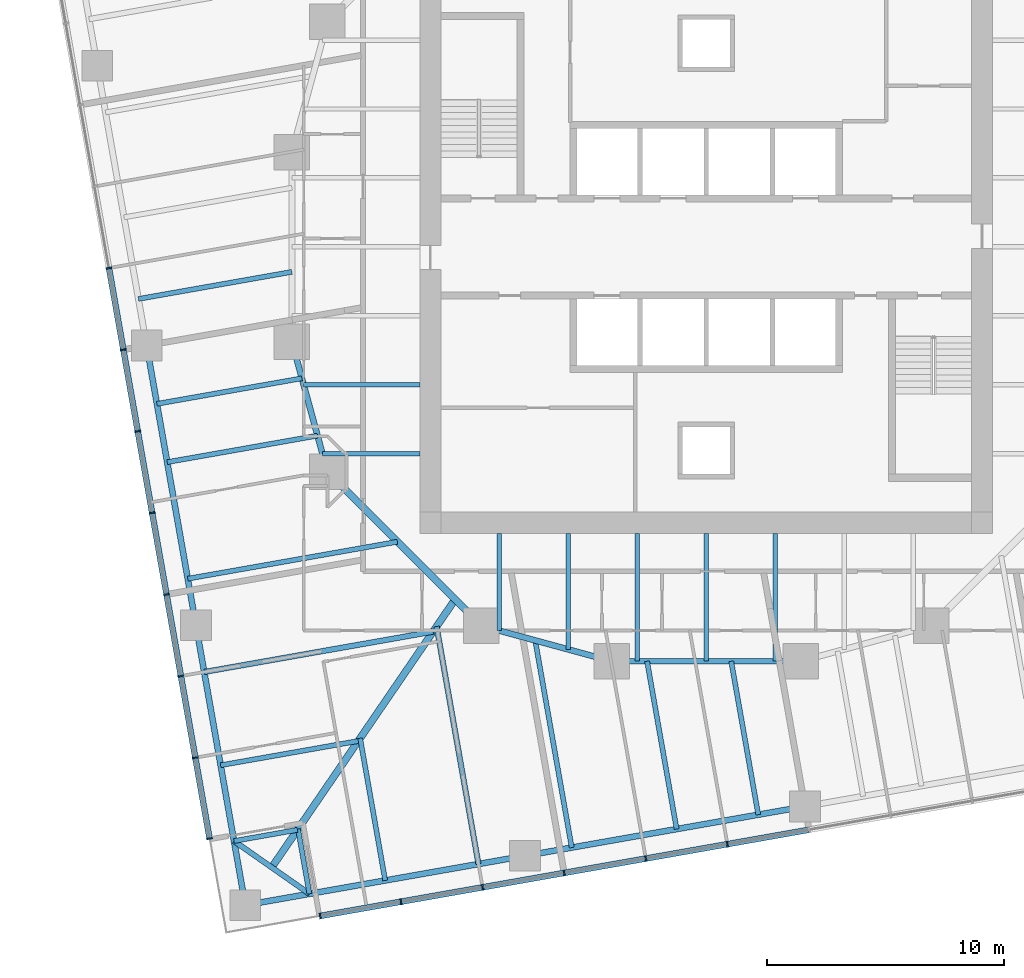
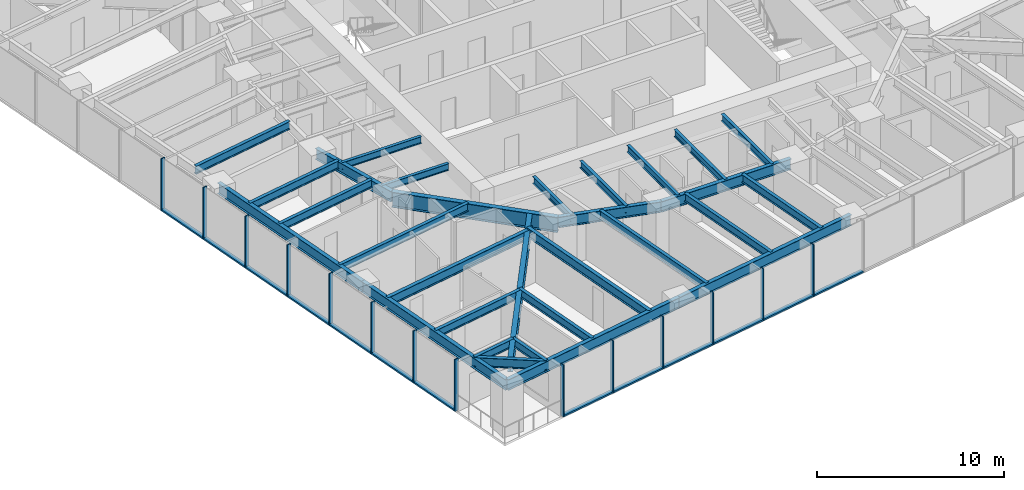
# One storey, part 2 of 14: 30 beams, 27 members, 2 elements without a shape of their own.
"""IFC4 building model written with IfcOpenShell, lengths in metres."""

import ifcopenshell
import ifcopenshell.guid

model = None  # the IFC model being written
_history = None  # IfcOwnerHistory: only IFC2X3 demands one
_inside = {}  # id of a spatial element -> (the spatial element, [elements in it])
_under = {}  # id of a project, library or spatial element -> (it, [spatial elements below it])
_declared = {}  # id of a project -> (the project, [libraries it declares])
_typed = {}  # id of a type object -> (the type object, [elements of that type])
_made_of = {}  # id of a material, layer set ... -> (it, [elements and type objects made of it])


def new_model(schema):
    """Start an empty IFC model of exactly this schema.

    Asked for "IFC4X3", IfcOpenShell would pick the latest addendum, in which some entities
    have other attributes; the version numbers below select the first issue.
    IFC2X3 requires an IfcOwnerHistory on every rooted entity: one is made here for all.
    """
    global model, _history
    if schema == "IFC4X3":
        model = ifcopenshell.file(schema_version=(4, 3, 0, 0))
    else:
        model = ifcopenshell.file(schema=schema)
    _inside.clear()
    _under.clear()
    _declared.clear()
    _typed.clear()
    _made_of.clear()
    _history = None
    if model.schema == "IFC2X3":
        org = make("IfcOrganization", Name="unknown")
        user = make(
            "IfcPersonAndOrganization",
            ThePerson=make("IfcPerson", FamilyName="unknown"),
            TheOrganization=org,
        )
        app = make(
            "IfcApplication",
            ApplicationDeveloper=org,
            Version="unknown",
            ApplicationFullName="unknown",
            ApplicationIdentifier="unknown",
        )
        _history = make(
            "IfcOwnerHistory",
            OwningUser=user,
            OwningApplication=app,
            ChangeAction="ADDED",
            CreationDate=0,
        )
    return model


def make(cls, **values):
    """One entity of the class cls with the attributes given. An attribute that is None is left unset."""
    return model.create_entity(
        cls, **{name: value for name, value in values.items() if value is not None}
    )


def rooted(cls, **values):
    """An entity with a GlobalId (a new one), such as an element, a storey or a relation."""
    return make(cls, GlobalId=ifcopenshell.guid.new(), OwnerHistory=_history, **values)


def si_unit(unit_type, name, prefix=None):
    """IfcSIUnit, for example si_unit("LENGTHUNIT", "METRE", prefix="MILLI")."""
    return make("IfcSIUnit", UnitType=unit_type, Prefix=prefix, Name=name)


def assignment(units):
    """IfcUnitAssignment: the units of a project."""
    return None if units is None else make("IfcUnitAssignment", Units=units)


def point(xyz):
    """IfcCartesianPoint."""
    return None if xyz is None else make("IfcCartesianPoint", Coordinates=xyz)


def direction(xyz):
    """IfcDirection."""
    return None if xyz is None else make("IfcDirection", DirectionRatios=xyz)


def frame(location, z_axis=None, x_axis=None):
    """IfcAxis2Placement3D, a coordinate frame: its origin and axes. An axis left out is left unset."""
    return make(
        "IfcAxis2Placement3D",
        Location=point(location),
        Axis=direction(z_axis),
        RefDirection=direction(x_axis),
    )


def frame_2d(location, x_axis=None):
    """IfcAxis2Placement2D, a coordinate frame in the plane: its origin and x axis."""
    return make(
        "IfcAxis2Placement2D", Location=point(location), RefDirection=direction(x_axis)
    )


def origin():
    """The frame at (0, 0, 0) with its axes left unset."""
    return frame((0.0, 0.0, 0.0))


def origin_2d():
    """The frame at (0, 0) in the plane with its x axis left unset."""
    return frame_2d((0.0, 0.0))


def place(relative_to, where):
    """IfcLocalPlacement: puts the frame where relative to a parent placement (None: the world)."""
    return make(
        "IfcLocalPlacement", PlacementRelTo=relative_to, RelativePlacement=where
    )


def context(
    kind, dimensions, precision=None, world=None, true_north=None, identifier=None
):
    """IfcGeometricRepresentationContext, for example the 3D "Model" context."""
    return make(
        "IfcGeometricRepresentationContext",
        ContextIdentifier=identifier,
        ContextType=kind,
        CoordinateSpaceDimension=dimensions,
        Precision=precision,
        WorldCoordinateSystem=world,
        TrueNorth=true_north,
    )


def subcontext(parent, identifier, kind, view, scale=None):
    """IfcGeometricRepresentationSubContext, for example "Body" below "Model"."""
    return make(
        "IfcGeometricRepresentationSubContext",
        ContextIdentifier=identifier,
        ContextType=kind,
        ParentContext=parent,
        TargetScale=scale,
        TargetView=view,
    )


def project(units=None, contexts=None):
    """IfcProject with its units and contexts."""
    return rooted(
        "IfcProject",
        Name="project",
        RepresentationContexts=contexts,
        UnitsInContext=assignment(units),
    )


def spatial(cls, under=None, at=None, **own):
    """A site, building, storey or space (cls), placed at a placement, below another one or the project."""
    s = rooted(cls, ObjectPlacement=at, **own)
    if under is not None:
        _under.setdefault(under.id(), (under, []))[1].append(s)
    return s


def profile(cls, at=None, kind="AREA", **sizes):
    """A parametric profile (cls). Its sizes go by their IFC names, for example OverallWidth=200.0."""
    return make(cls, ProfileType=kind, Position=at, **sizes)


def rectangle(**sizes):
    """IfcRectangleProfileDef."""
    return profile("IfcRectangleProfileDef", **sizes)


def i_section(**sizes):
    """IfcIShapeProfileDef."""
    return profile("IfcIShapeProfileDef", **sizes)


def extrude(swept, where, along, depth):
    """IfcExtrudedAreaSolid: the profile swept, set in the frame where, extruded along a direction by depth."""
    return make(
        "IfcExtrudedAreaSolid",
        SweptArea=swept,
        Position=where,
        ExtrudedDirection=direction(along),
        Depth=depth,
    )


def shape(context_of_items, identifier, shape_type, items):
    """IfcShapeRepresentation: the items that make up one representation, for example the "Body"."""
    return make(
        "IfcShapeRepresentation",
        ContextOfItems=context_of_items,
        RepresentationIdentifier=identifier,
        RepresentationType=shape_type,
        Items=items,
    )


def material(Name=None, Category=None):
    """IfcMaterial."""
    return make("IfcMaterial", Name=Name, Category=Category)


def material_profile(
    of_material, cross_section, Name=None, Category=None, Priority=None
):
    """IfcMaterialProfile: a cross section and its material."""
    return make(
        "IfcMaterialProfile",
        Name=Name,
        Material=of_material,
        Profile=cross_section,
        Priority=Priority,
        Category=Category,
    )


def profile_set(profiles, Name=None, composite=None):
    """IfcMaterialProfileSet."""
    return make(
        "IfcMaterialProfileSet",
        Name=Name,
        MaterialProfiles=profiles,
        CompositeProfile=composite,
    )


def made_of(thing, what):
    """Note that an element or type object is made of a material, layer set ...; save() writes the relation."""
    if what is not None:
        _made_of.setdefault(what.id(), (what, []))[1].append(thing)
    return thing


def type_object(cls, material=None, **own):
    """A type object (cls), such as IfcWallType, which elements share."""
    return made_of(rooted(cls, **own), material)


def element(
    cls,
    number,
    at=None,
    inside=None,
    cuts=None,
    type_object=None,
    material=None,
    context=None,
    identifier="Body",
    shape_type=None,
    held_by="IfcProductDefinitionShape",
    body=None,
    shapes=None,
    **own,
):
    """One element of the class cls, such as IfcWall. Its Tag is "e" and its number.

    at: its placement. inside: the storey or other place that contains it. cuts: it is an
    opening in that element (IfcRelVoidsElement). A single representation is given by context,
    identifier, shape_type and body (its items); several are given by shapes. held_by: the class
    of the entity that holds the representations. save() writes the other relations.
    """
    e = rooted(cls, Tag="e%d" % number, ObjectPlacement=at, **own)
    if body is not None:
        shapes = [shape(context, identifier, shape_type, body)]
    if shapes is not None:
        e.Representation = make(held_by, Representations=shapes)
    if inside is not None:
        _inside.setdefault(inside.id(), (inside, []))[1].append(e)
    if cuts is not None:
        rooted(
            "IfcRelVoidsElement", RelatingBuildingElement=cuts, RelatedOpeningElement=e
        )
    if type_object is not None:
        _typed.setdefault(type_object.id(), (type_object, []))[1].append(e)
    return made_of(e, material)


def aggregate(whole, parts):
    """IfcRelAggregates: a whole, such as a stair, and the parts it consists of."""
    return rooted("IfcRelAggregates", RelatingObject=whole, RelatedObjects=parts)


def save(model, path):
    """Write the relations noted so far, then the file.

    IfcRelAggregates (storeys below a building ...), IfcRelContainedInSpatialStructure (elements
    in a storey), IfcRelDefinesByType, IfcRelAssociatesMaterial and IfcRelDeclares: one each for
    every whole, place, type object, material and project.
    """
    for whole, parts in _under.values():
        aggregate(whole, parts)
    for where, things in _inside.values():
        rooted(
            "IfcRelContainedInSpatialStructure",
            RelatedElements=things,
            RelatingStructure=where,
        )
    for kind, things in _typed.values():
        rooted("IfcRelDefinesByType", RelatedObjects=things, RelatingType=kind)
    for what, things in _made_of.values():
        rooted("IfcRelAssociatesMaterial", RelatedObjects=things, RelatingMaterial=what)
    for by, libraries in _declared.values():
        rooted("IfcRelDeclares", RelatingContext=by, RelatedDefinitions=libraries)
    model.write(path)


model = new_model("IFC4")

# Units and contexts
model_context = context("Model", 3, precision=1e-05, world=origin(), true_north=direction((0.0, 1.0)))
body_context = subcontext(model_context, "Body", "Model", "MODEL_VIEW")
ifc_project = project(units=[si_unit("LENGTHUNIT", "METRE"), si_unit("AREAUNIT", "SQUARE_METRE"), si_unit("VOLUMEUNIT", "CUBIC_METRE"), si_unit("PLANEANGLEUNIT", "RADIAN"), si_unit("MASSUNIT", "GRAM", prefix="KILO")], contexts=[model_context])

# Site, building, storey
site_placement = place(None, origin())
site = spatial("IfcSite", under=ifc_project, at=site_placement, CompositionType="ELEMENT")
building_placement = place(site_placement, origin())
building = spatial("IfcBuilding", under=site, at=building_placement, Name="Torsade Residences", CompositionType="ELEMENT")
storey_placement = place(building_placement, frame((0.0, 0.0, 93.0)))
storey = spatial("IfcBuildingStorey", under=building, at=storey_placement, Name="L25", CompositionType="ELEMENT", Elevation=93.0)

# Beams
ifc_material_1 = material(Name="Steel grade 300", Category="steel")
ifc_material_profile_1 = material_profile(ifc_material_1, i_section(OverallWidth=0.300048828125, OverallDepth=0.89990234375, WebThickness=0.011962890625, FlangeThickness=0.02490234375, at=origin_2d()), Name="900WB175")
ifc_profile_set_1 = profile_set([ifc_material_profile_1], Name="Steel grade 300")
beam_type_1 = type_object("IfcBeamType", Name="CORNER GIRDER 900WB175", PredefinedType="BEAM", material=ifc_profile_set_1)
beam_1_placement = place(storey_placement, frame((21.6474609375, 3.7900390625, 2.800048828125), z_axis=(0.564724759437, 0.825279313977, 0.0), x_axis=(-0.825279313977, 0.564724759437, 0.0)))
element("IfcBeam", 1, at=beam_1_placement, inside=storey, type_object=beam_type_1, Name="Corner girder 01 L26", PredefinedType="BEAM", context=body_context, shape_type="SweptSolid", body=[
    extrude(i_section(OverallWidth=0.300048828125, OverallDepth=0.89990234375, WebThickness=0.011962890625, FlangeThickness=0.02490234375, at=origin_2d()), origin(), (0.0, 0.0, 1.0), 13.7138671875),
])
ifc_material_2 = material(Name="Steel grade 300", Category="steel")
ifc_material_profile_2 = material_profile(ifc_material_2, i_section(OverallWidth=0.22802734375, OverallDepth=0.60205078125, WebThickness=0.010498046875, FlangeThickness=0.014892578125, FilletRadius=0.013916015625, at=origin_2d()), Name="610UB101")
ifc_profile_set_2 = profile_set([ifc_material_profile_2], Name="Steel grade 300")
beam_type_2 = type_object("IfcBeamType", Name="CORNER TRIMMER 610UB101", PredefinedType="BEAM", material=ifc_profile_set_2)
beam_2_placement = place(storey_placement, frame((23.240478515625, 2.674560546875, 2.948974609375), z_axis=(-0.819152285145, 0.573576092373, 0.0), x_axis=(-0.573576092373, -0.819152285145, 0.0)))
element("IfcBeam", 2, at=beam_2_placement, inside=storey, type_object=beam_type_2, Name="Corner trimmer 01 L26", PredefinedType="BEAM", context=body_context, shape_type="SweptSolid", body=[
    extrude(i_section(OverallWidth=0.22802734375, OverallDepth=0.60205078125, WebThickness=0.010498046875, FlangeThickness=0.014892578125, FilletRadius=0.013916015625, at=origin_2d()), origin(), (0.0, 0.0, 1.0), 3.88916015625),
])

# Curtain wall, members
ifc_material_3 = material(Name="Aluminium and glass", Category="aluminium")
curtain_wall_type = type_object("IfcCurtainWallType", Name="FRITTED GLASS CURTAIN WALL LOW ZONE", PredefinedType="NOTDEFINED", material=ifc_material_3)
curtain_wall_1_placement = place(storey_placement, origin())
curtain_wall_1 = element("IfcCurtainWall", 3, at=curtain_wall_1_placement, inside=storey, type_object=curtain_wall_type, Name="Curtain wall L25 face 1", PredefinedType="NOTDEFINED")
ifc_material_4 = material(Name="Aluminium mullion", Category="aluminium")
ifc_material_profile_3 = material_profile(ifc_material_4, rectangle(XDim=0.25, YDim=0.06494140625, at=origin_2d()), Name="CURTAIN WALL MULLION 250x65")
ifc_profile_set_3 = profile_set([ifc_material_profile_3], Name="Aluminium mullion")
member_type_1 = type_object("IfcMemberType", Name="CURTAIN WALL MULLION 250x65", PredefinedType="MULLION", material=ifc_profile_set_3)
member_1_placement = place(storey_placement, frame((23.692138671875, 1.73876953125, 0.0), z_axis=(0.0, 0.0, 1.0), x_axis=(-0.173648192638, 0.984807750372, 0.0)))
member_1 = element("IfcMember", 4, at=member_1_placement, type_object=member_type_1, Name="Mullion 1", PredefinedType="MULLION", context=body_context, shape_type="SweptSolid", body=[
    extrude(rectangle(XDim=0.25, YDim=0.06494140625, at=origin_2d()), origin(), (0.0, 0.0, 1.0), 3.39990234375),
])
member_2_placement = place(storey_placement, frame((27.107177734375, 2.341064453125, 0.0), z_axis=(0.0, 0.0, 1.0), x_axis=(-0.173648192638, 0.984807750372, 0.0)))
member_2 = element("IfcMember", 5, at=member_2_placement, type_object=member_type_1, Name="Mullion 2", PredefinedType="MULLION", context=body_context, shape_type="SweptSolid", body=[
    extrude(rectangle(XDim=0.25, YDim=0.06494140625, at=origin_2d()), origin(), (0.0, 0.0, 1.0), 3.39990234375),
])
member_3_placement = place(storey_placement, frame((30.553955078125, 2.94873046875, 0.0), z_axis=(0.0, 0.0, 1.0), x_axis=(-0.173648192638, 0.984807750372, 0.0)))
member_3 = element("IfcMember", 6, at=member_3_placement, type_object=member_type_1, Name="Mullion 3", PredefinedType="MULLION", context=body_context, shape_type="SweptSolid", body=[
    extrude(rectangle(XDim=0.25, YDim=0.06494140625, at=origin_2d()), origin(), (0.0, 0.0, 1.0), 3.39990234375),
])
member_4_placement = place(storey_placement, frame((34.000732421875, 3.556396484375, 0.0), z_axis=(0.0, 0.0, 1.0), x_axis=(-0.173648192638, 0.984807750372, 0.0)))
member_4 = element("IfcMember", 7, at=member_4_placement, type_object=member_type_1, Name="Mullion 4", PredefinedType="MULLION", context=body_context, shape_type="SweptSolid", body=[
    extrude(rectangle(XDim=0.25, YDim=0.06494140625, at=origin_2d()), origin(), (0.0, 0.0, 1.0), 3.39990234375),
])
member_5_placement = place(storey_placement, frame((37.447509765625, 4.164306640625, 0.0), z_axis=(0.0, 0.0, 1.0), x_axis=(-0.173648192638, 0.984807750372, 0.0)))
member_5 = element("IfcMember", 8, at=member_5_placement, type_object=member_type_1, Name="Mullion 5", PredefinedType="MULLION", context=body_context, shape_type="SweptSolid", body=[
    extrude(rectangle(XDim=0.25, YDim=0.06494140625, at=origin_2d()), origin(), (0.0, 0.0, 1.0), 3.39990234375),
])
member_6_placement = place(storey_placement, frame((40.894287109375, 4.77197265625, 0.0), z_axis=(0.0, 0.0, 1.0), x_axis=(-0.173648192638, 0.984807750372, 0.0)))
member_6 = element("IfcMember", 9, at=member_6_placement, type_object=member_type_1, Name="Mullion 6", PredefinedType="MULLION", context=body_context, shape_type="SweptSolid", body=[
    extrude(rectangle(XDim=0.25, YDim=0.06494140625, at=origin_2d()), origin(), (0.0, 0.0, 1.0), 3.39990234375),
])

curtain_wall_2_placement = place(storey_placement, origin())
curtain_wall_2 = element("IfcCurtainWall", 10, at=curtain_wall_2_placement, inside=storey, type_object=curtain_wall_type, Name="Curtain wall L25 face 10", PredefinedType="NOTDEFINED")
member_7_placement = place(storey_placement, frame((14.77197265625, 29.105712890625, 0.0), z_axis=(0.0, 0.0, 1.0), x_axis=(0.984807750372, 0.173648192638, 0.0)))
member_7 = element("IfcMember", 11, at=member_7_placement, type_object=member_type_1, Name="Mullion 6", PredefinedType="MULLION", context=body_context, shape_type="SweptSolid", body=[
    extrude(rectangle(XDim=0.25, YDim=0.06494140625, at=origin_2d()), origin(), (0.0, 0.0, 1.0), 3.39990234375),
])
member_8_placement = place(storey_placement, frame((15.3798828125, 25.65869140625, 0.0), z_axis=(0.0, 0.0, 1.0), x_axis=(0.984807750372, 0.173648192638, 0.0)))
member_8 = element("IfcMember", 12, at=member_8_placement, type_object=member_type_1, Name="Mullion 7", PredefinedType="MULLION", context=body_context, shape_type="SweptSolid", body=[
    extrude(rectangle(XDim=0.25, YDim=0.06494140625, at=origin_2d()), origin(), (0.0, 0.0, 1.0), 3.39990234375),
])
member_9_placement = place(storey_placement, frame((15.987548828125, 22.2119140625, 0.0), z_axis=(0.0, 0.0, 1.0), x_axis=(0.984807750372, 0.173648192638, 0.0)))
member_9 = element("IfcMember", 13, at=member_9_placement, type_object=member_type_1, Name="Mullion 8", PredefinedType="MULLION", context=body_context, shape_type="SweptSolid", body=[
    extrude(rectangle(XDim=0.25, YDim=0.06494140625, at=origin_2d()), origin(), (0.0, 0.0, 1.0), 3.39990234375),
])
member_10_placement = place(storey_placement, frame((16.595458984375, 18.76513671875, 0.0), z_axis=(0.0, 0.0, 1.0), x_axis=(0.984807750372, 0.173648192638, 0.0)))
member_10 = element("IfcMember", 14, at=member_10_placement, type_object=member_type_1, Name="Mullion 9", PredefinedType="MULLION", context=body_context, shape_type="SweptSolid", body=[
    extrude(rectangle(XDim=0.25, YDim=0.06494140625, at=origin_2d()), origin(), (0.0, 0.0, 1.0), 3.39990234375),
])
member_11_placement = place(storey_placement, frame((17.203125, 15.318359375, 0.0), z_axis=(0.0, 0.0, 1.0), x_axis=(0.984807750372, 0.173648192638, 0.0)))
member_11 = element("IfcMember", 15, at=member_11_placement, type_object=member_type_1, Name="Mullion 10", PredefinedType="MULLION", context=body_context, shape_type="SweptSolid", body=[
    extrude(rectangle(XDim=0.25, YDim=0.06494140625, at=origin_2d()), origin(), (0.0, 0.0, 1.0), 3.39990234375),
])
member_12_placement = place(storey_placement, frame((17.810791015625, 11.87158203125, 0.0), z_axis=(0.0, 0.0, 1.0), x_axis=(0.984807750372, 0.173648192638, 0.0)))
member_12 = element("IfcMember", 16, at=member_12_placement, type_object=member_type_1, Name="Mullion 11", PredefinedType="MULLION", context=body_context, shape_type="SweptSolid", body=[
    extrude(rectangle(XDim=0.25, YDim=0.06494140625, at=origin_2d()), origin(), (0.0, 0.0, 1.0), 3.39990234375),
])
member_13_placement = place(storey_placement, frame((18.418701171875, 8.424560546875, 0.0), z_axis=(0.0, 0.0, 1.0), x_axis=(0.984807750372, 0.173648192638, 0.0)))
member_13 = element("IfcMember", 17, at=member_13_placement, type_object=member_type_1, Name="Mullion 12", PredefinedType="MULLION", context=body_context, shape_type="SweptSolid", body=[
    extrude(rectangle(XDim=0.25, YDim=0.06494140625, at=origin_2d()), origin(), (0.0, 0.0, 1.0), 3.39990234375),
])
member_14_placement = place(storey_placement, frame((19.020751953125, 5.009765625, 0.0), z_axis=(0.0, 0.0, 1.0), x_axis=(0.984807750372, 0.173648192638, 0.0)))
member_14 = element("IfcMember", 18, at=member_14_placement, type_object=member_type_1, Name="Mullion 13", PredefinedType="MULLION", context=body_context, shape_type="SweptSolid", body=[
    extrude(rectangle(XDim=0.25, YDim=0.06494140625, at=origin_2d()), origin(), (0.0, 0.0, 1.0), 3.39990234375),
])

# Member
ifc_material_5 = material(Name="Aluminium transom", Category="aluminium")
ifc_material_profile_4 = material_profile(ifc_material_5, rectangle(XDim=0.25, YDim=0.10009765625, at=origin_2d()), Name="CURTAIN WALL TRANSOM 250x100")
ifc_profile_set_4 = profile_set([ifc_material_profile_4], Name="Aluminium transom")
member_type_2 = type_object("IfcMemberType", Name="CURTAIN WALL TRANSOM 250x100", PredefinedType="USERDEFINED", material=ifc_profile_set_4)
member_15_placement = place(storey_placement, frame((23.724365234375, 1.744384765625, 0.050048828125), z_axis=(0.984806666774, 0.173654337918, 0.0), x_axis=(-0.173654337918, 0.984806666774, 0.0)))
member_15 = element("IfcMember", 19, at=member_15_placement, type_object=member_type_2, Name="Transom 1.1", ObjectType="TRANSOM", PredefinedType="USERDEFINED", context=body_context, shape_type="SweptSolid", body=[
    extrude(rectangle(XDim=0.25, YDim=0.10009765625, at=origin_2d()), origin(), (0.0, 0.0, 1.0), 3.40234375),
])

member_16_placement = place(storey_placement, frame((27.13916015625, 2.3466796875, 0.050048828125), z_axis=(0.984810021497, 0.17363531196, 0.0), x_axis=(-0.17363531196, 0.984810021497, 0.0)))
member_16 = element("IfcMember", 20, at=member_16_placement, type_object=member_type_2, Name="Transom 2.1", ObjectType="TRANSOM", PredefinedType="USERDEFINED", context=body_context, shape_type="SweptSolid", body=[
    extrude(rectangle(XDim=0.25, YDim=0.10009765625, at=origin_2d()), origin(), (0.0, 0.0, 1.0), 3.43505859375),
])

member_17_placement = place(storey_placement, frame((30.5859375, 2.954345703125, 0.050048828125), z_axis=(0.984810021497, 0.17363531196, 0.0), x_axis=(-0.17363531196, 0.984810021497, 0.0)))
member_17 = element("IfcMember", 21, at=member_17_placement, type_object=member_type_2, Name="Transom 3.1", ObjectType="TRANSOM", PredefinedType="USERDEFINED", context=body_context, shape_type="SweptSolid", body=[
    extrude(rectangle(XDim=0.25, YDim=0.10009765625, at=origin_2d()), origin(), (0.0, 0.0, 1.0), 3.43505859375),
])

member_18_placement = place(storey_placement, frame((34.03271484375, 3.562255859375, 0.050048828125), z_axis=(0.984810021497, 0.17363531196, 0.0), x_axis=(-0.17363531196, 0.984810021497, 0.0)))
member_18 = element("IfcMember", 22, at=member_18_placement, type_object=member_type_2, Name="Transom 4.1", ObjectType="TRANSOM", PredefinedType="USERDEFINED", context=body_context, shape_type="SweptSolid", body=[
    extrude(rectangle(XDim=0.25, YDim=0.10009765625, at=origin_2d()), origin(), (0.0, 0.0, 1.0), 3.43505859375),
])

member_19_placement = place(storey_placement, frame((37.4794921875, 4.169921875, 0.050048828125), z_axis=(0.984810021497, 0.17363531196, 0.0), x_axis=(-0.17363531196, 0.984810021497, 0.0)))
member_19 = element("IfcMember", 23, at=member_19_placement, type_object=member_type_2, Name="Transom 5.1", ObjectType="TRANSOM", PredefinedType="USERDEFINED", context=body_context, shape_type="SweptSolid", body=[
    extrude(rectangle(XDim=0.25, YDim=0.10009765625, at=origin_2d()), origin(), (0.0, 0.0, 1.0), 3.43505859375),
])

member_20_placement = place(storey_placement, frame((40.92626953125, 4.777587890625, 0.050048828125), z_axis=(0.98479786563, 0.173704242465, 0.0), x_axis=(-0.173704242465, 0.98479786563, 0.0)))
member_20 = element("IfcMember", 24, at=member_20_placement, type_object=member_type_2, Name="Transom 6.1", ObjectType="TRANSOM", PredefinedType="USERDEFINED", context=body_context, shape_type="SweptSolid", body=[
    extrude(rectangle(XDim=0.25, YDim=0.10009765625, at=origin_2d()), origin(), (0.0, 0.0, 1.0), 3.43505859375),
])

aggregate(curtain_wall_1, [member_1, member_2, member_3, member_4, member_5, member_6, member_15, member_16, member_17, member_18, member_19, member_20])

member_21_placement = place(storey_placement, frame((14.777587890625, 29.07373046875, 0.050048828125), z_axis=(0.173704242465, -0.98479786563, 0.0), x_axis=(0.98479786563, 0.173704242465, 0.0)))
member_21 = element("IfcMember", 25, at=member_21_placement, type_object=member_type_2, Name="Transom 6.1", ObjectType="TRANSOM", PredefinedType="USERDEFINED", context=body_context, shape_type="SweptSolid", body=[
    extrude(rectangle(XDim=0.25, YDim=0.10009765625, at=origin_2d()), origin(), (0.0, 0.0, 1.0), 3.43505859375),
])

member_22_placement = place(storey_placement, frame((15.385498046875, 25.626708984375, 0.050048828125), z_axis=(0.17363531196, -0.984810021497, 0.0), x_axis=(0.984810021497, 0.17363531196, 0.0)))
member_22 = element("IfcMember", 26, at=member_22_placement, type_object=member_type_2, Name="Transom 7.1", ObjectType="TRANSOM", PredefinedType="USERDEFINED", context=body_context, shape_type="SweptSolid", body=[
    extrude(rectangle(XDim=0.25, YDim=0.10009765625, at=origin_2d()), origin(), (0.0, 0.0, 1.0), 3.43505859375),
])

member_23_placement = place(storey_placement, frame((15.9931640625, 22.179931640625, 0.050048828125), z_axis=(0.17363531196, -0.984810021497, 0.0), x_axis=(0.984810021497, 0.17363531196, 0.0)))
member_23 = element("IfcMember", 27, at=member_23_placement, type_object=member_type_2, Name="Transom 8.1", ObjectType="TRANSOM", PredefinedType="USERDEFINED", context=body_context, shape_type="SweptSolid", body=[
    extrude(rectangle(XDim=0.25, YDim=0.10009765625, at=origin_2d()), origin(), (0.0, 0.0, 1.0), 3.43505859375),
])

member_24_placement = place(storey_placement, frame((16.60107421875, 18.733154296875, 0.050048828125), z_axis=(0.17363531196, -0.984810021497, 0.0), x_axis=(0.984810021497, 0.17363531196, 0.0)))
member_24 = element("IfcMember", 28, at=member_24_placement, type_object=member_type_2, Name="Transom 9.1", ObjectType="TRANSOM", PredefinedType="USERDEFINED", context=body_context, shape_type="SweptSolid", body=[
    extrude(rectangle(XDim=0.25, YDim=0.10009765625, at=origin_2d()), origin(), (0.0, 0.0, 1.0), 3.43505859375),
])

member_25_placement = place(storey_placement, frame((17.208740234375, 15.286376953125, 0.050048828125), z_axis=(0.17363531196, -0.984810021497, 0.0), x_axis=(0.984810021497, 0.17363531196, 0.0)))
member_25 = element("IfcMember", 29, at=member_25_placement, type_object=member_type_2, Name="Transom 10.1", ObjectType="TRANSOM", PredefinedType="USERDEFINED", context=body_context, shape_type="SweptSolid", body=[
    extrude(rectangle(XDim=0.25, YDim=0.10009765625, at=origin_2d()), origin(), (0.0, 0.0, 1.0), 3.43505859375),
])

member_26_placement = place(storey_placement, frame((17.81640625, 11.839599609375, 0.050048828125), z_axis=(0.173704242465, -0.98479786563, 0.0), x_axis=(0.98479786563, 0.173704242465, 0.0)))
member_26 = element("IfcMember", 30, at=member_26_placement, type_object=member_type_2, Name="Transom 11.1", ObjectType="TRANSOM", PredefinedType="USERDEFINED", context=body_context, shape_type="SweptSolid", body=[
    extrude(rectangle(XDim=0.25, YDim=0.10009765625, at=origin_2d()), origin(), (0.0, 0.0, 1.0), 3.43505859375),
])

member_27_placement = place(storey_placement, frame((18.42431640625, 8.392578125, 0.050048828125), z_axis=(0.173642067011, -0.984808830466, 0.0), x_axis=(0.984808830466, 0.173642067011, 0.0)))
member_27 = element("IfcMember", 31, at=member_27_placement, type_object=member_type_2, Name="Transom 12.1", ObjectType="TRANSOM", PredefinedType="USERDEFINED", context=body_context, shape_type="SweptSolid", body=[
    extrude(rectangle(XDim=0.25, YDim=0.10009765625, at=origin_2d()), origin(), (0.0, 0.0, 1.0), 3.402587890625),
])

aggregate(curtain_wall_2, [member_7, member_8, member_9, member_10, member_11, member_12, member_13, member_14, member_21, member_22, member_23, member_24, member_25, member_26, member_27])

# Beams
ifc_material_6 = material(Name="Steel grade 300", Category="steel")
ifc_material_profile_5 = material_profile(ifc_material_6, i_section(OverallWidth=0.25, OverallDepth=0.699951171875, WebThickness=0.010009765625, FlangeThickness=0.02001953125, at=origin_2d()), Name="700WB130")
ifc_profile_set_5 = profile_set([ifc_material_profile_5], Name="Steel grade 300")
beam_type_3 = type_object("IfcBeamType", Name="EDGE BEAM 700WB130", PredefinedType="SPANDREL", material=ifc_profile_set_5)
for number, where, z_axis, x_axis, name in (
    (32, (20.5322265625, 2.197021484375, 2.89990234375), (0.984808127031, 0.173646056486, 0.0), (-0.173646056486, 0.984808127031, 0.0), "Edge beam 01 L26"),
    (33, (32.349853515625, 4.28076171875, 2.89990234375), (0.984808127031, 0.173646056486, 0.0), (-0.173646056486, 0.984808127031, 0.0), "Edge beam 02 L26"),
):
    element("IfcBeam", number, at=place(storey_placement, frame(where, z_axis=z_axis, x_axis=x_axis)), inside=storey, type_object=beam_type_3, Name=name, PredefinedType="SPANDREL", context=body_context, shape_type="SweptSolid", body=[
        extrude(i_section(OverallWidth=0.25, OverallDepth=0.699951171875, WebThickness=0.010009765625, FlangeThickness=0.02001953125, at=origin_2d()), origin(), (0.0, 0.0, 1.0), 12.0),
    ])
beam_3_placement = place(storey_placement, frame((16.364501953125, 25.83251953125, 2.89990234375), z_axis=(0.173662308598, -0.984805261243, 0.0), x_axis=(0.984805261243, 0.173662308598, 0.0)))
element("IfcBeam", 34, at=beam_3_placement, inside=storey, type_object=beam_type_3, Name="Edge beam 15 L26", PredefinedType="SPANDREL", context=body_context, shape_type="SweptSolid", body=[
    extrude(i_section(OverallWidth=0.25, OverallDepth=0.699951171875, WebThickness=0.010009765625, FlangeThickness=0.02001953125, at=origin_2d()), origin(), (0.0, 0.0, 1.0), 12.000244140625),
])
beam_4_placement = place(storey_placement, frame((18.448486328125, 14.0146484375, 2.89990234375), z_axis=(0.173646056486, -0.984808127031, 0.0), x_axis=(0.984808127031, 0.173646056486, 0.0)))
element("IfcBeam", 35, at=beam_4_placement, inside=storey, type_object=beam_type_3, Name="Edge beam 16 L26", PredefinedType="SPANDREL", context=body_context, shape_type="SweptSolid", body=[
    extrude(i_section(OverallWidth=0.25, OverallDepth=0.699951171875, WebThickness=0.010009765625, FlangeThickness=0.02001953125, at=origin_2d()), origin(), (0.0, 0.0, 1.0), 12.0),
])
ifc_material_7 = material(Name="Steel grade 300", Category="steel")
ifc_material_profile_6 = material_profile(ifc_material_7, i_section(OverallWidth=0.18994140625, OverallDepth=0.4541015625, WebThickness=0.008544921875, FlangeThickness=0.0126953125, FilletRadius=0.011474609375, at=origin_2d()), Name="460UB67.1")
ifc_profile_set_6 = profile_set([ifc_material_profile_6], Name="Steel grade 300")
beam_type_4 = type_object("IfcBeamType", Name="INNER FLOOR BEAM 460UB67.1", PredefinedType="JOIST", material=ifc_profile_set_6)
for number, where, z_axis, x_axis, name in (
    (36, (42.91259765625, 17.89990234375, 3.02294921875), (0.0, -1.0, 0.0), (1.0, 0.0, 0.0), "Inner floor beam IS03 L26"),
    (37, (40.0, 17.89990234375, 3.02294921875), (0.0, -1.0, 0.0), (1.0, 0.0, 0.0), "Inner floor beam IS04 L26"),
    (38, (37.08740234375, 17.89990234375, 3.02294921875), (0.0, -1.0, 0.0), (1.0, 0.0, 0.0), "Inner floor beam IS05 L26"),
):
    element("IfcBeam", number, at=place(storey_placement, frame(where, z_axis=z_axis, x_axis=x_axis)), inside=storey, type_object=beam_type_4, Name=name, PredefinedType="JOIST", context=body_context, shape_type="SweptSolid", body=[
        extrude(i_section(OverallWidth=0.18994140625, OverallDepth=0.4541015625, WebThickness=0.008544921875, FlangeThickness=0.0126953125, FilletRadius=0.011474609375, at=origin_2d()), origin(), (0.0, 0.0, 1.0), 5.39990234375),
    ])
beam_5_placement = place(storey_placement, frame((34.175048828125, 17.89990234375, 3.02294921875), z_axis=(0.0, -1.0, 0.0), x_axis=(1.0, 0.0, 0.0)))
element("IfcBeam", 39, at=beam_5_placement, inside=storey, type_object=beam_type_4, Name="Inner floor beam IS06 L26", PredefinedType="JOIST", context=body_context, shape_type="SweptSolid", body=[
    extrude(i_section(OverallWidth=0.18994140625, OverallDepth=0.4541015625, WebThickness=0.008544921875, FlangeThickness=0.0126953125, FilletRadius=0.011474609375, at=origin_2d()), origin(), (0.0, 0.0, 1.0), 4.902099609375),
])
beam_6_placement = place(storey_placement, frame((31.262451171875, 17.89990234375, 3.02294921875), z_axis=(0.0, -1.0, 0.0), x_axis=(1.0, 0.0, 0.0)))
element("IfcBeam", 40, at=beam_6_placement, inside=storey, type_object=beam_type_4, Name="Inner floor beam IS07 L26", PredefinedType="JOIST", context=body_context, shape_type="SweptSolid", body=[
    extrude(i_section(OverallWidth=0.18994140625, OverallDepth=0.4541015625, WebThickness=0.008544921875, FlangeThickness=0.0126953125, FilletRadius=0.011474609375, at=origin_2d()), origin(), (0.0, 0.0, 1.0), 4.10791015625),
])
beam_7_placement = place(storey_placement, frame((27.89990234375, 24.175048828125, 3.02294921875), z_axis=(-1.0, 0.0, 0.0), x_axis=(0.0, -1.0, 0.0)))
element("IfcBeam", 41, at=beam_7_placement, inside=storey, type_object=beam_type_4, Name="Inner floor beam IW06 L26", PredefinedType="JOIST", context=body_context, shape_type="SweptSolid", body=[
    extrude(i_section(OverallWidth=0.18994140625, OverallDepth=0.4541015625, WebThickness=0.008544921875, FlangeThickness=0.0126953125, FilletRadius=0.011474609375, at=origin_2d()), origin(), (0.0, 0.0, 1.0), 4.902099609375),
])
beam_8_placement = place(storey_placement, frame((27.89990234375, 21.262451171875, 3.02294921875), z_axis=(-1.0, 0.0, 0.0), x_axis=(0.0, -1.0, 0.0)))
element("IfcBeam", 42, at=beam_8_placement, inside=storey, type_object=beam_type_4, Name="Inner floor beam IW07 L26", PredefinedType="JOIST", context=body_context, shape_type="SweptSolid", body=[
    extrude(i_section(OverallWidth=0.18994140625, OverallDepth=0.4541015625, WebThickness=0.008544921875, FlangeThickness=0.0126953125, FilletRadius=0.011474609375, at=origin_2d()), origin(), (0.0, 0.0, 1.0), 4.10791015625),
])
ifc_material_8 = material(Name="Steel grade 300", Category="steel")
ifc_material_profile_7 = material_profile(ifc_material_8, i_section(OverallWidth=0.300048828125, OverallDepth=1.0, WebThickness=0.01611328125, FlangeThickness=0.028076171875, at=origin_2d()), Name="1000WB215")
ifc_profile_set_7 = profile_set([ifc_material_profile_7], Name="Steel grade 300")
beam_type_5 = type_object("IfcBeamType", Name="RING CORNER GIRDER 1000WB215", PredefinedType="BEAM", material=ifc_profile_set_7)
beam_9_placement = place(storey_placement, frame((24.0, 20.5, 2.75), z_axis=(0.707106781187, -0.707106781187, 0.0), x_axis=(0.707106781187, 0.707106781187, 0.0)))
element("IfcBeam", 43, at=beam_9_placement, inside=storey, type_object=beam_type_5, Name="Ring girder IR11 L26", PredefinedType="BEAM", context=body_context, shape_type="SweptSolid", body=[
    extrude(i_section(OverallWidth=0.300048828125, OverallDepth=1.0, WebThickness=0.01611328125, FlangeThickness=0.028076171875, at=origin_2d()), origin(), (0.0, 0.0, 1.0), 9.1923828125),
])
ifc_material_9 = material(Name="Steel grade 300", Category="steel")
ifc_material_profile_8 = material_profile(ifc_material_9, i_section(OverallWidth=0.25, OverallDepth=0.699951171875, WebThickness=0.010009765625, FlangeThickness=0.02001953125, at=origin_2d()), Name="700WB130")
ifc_profile_set_8 = profile_set([ifc_material_profile_8], Name="Steel grade 300")
beam_type_6 = type_object("IfcBeamType", Name="RING GIRDER 700WB130", PredefinedType="BEAM", material=ifc_profile_set_8)
for number, where, z_axis, x_axis, name in (
    (44, (22.5, 26.0, 2.89990234375), (0.263117405792, -0.964763821238, 0.0), (0.964763821238, 0.263117405792, 0.0), "Ring girder IR10 L26"),
    (45, (30.5, 14.0, 2.89990234375), (0.964763821238, -0.263117405792, 0.0), (0.263117405792, 0.964763821238, 0.0), "Ring girder IR12 L26"),
):
    element("IfcBeam", number, at=place(storey_placement, frame(where, z_axis=z_axis, x_axis=x_axis)), inside=storey, type_object=beam_type_6, Name=name, PredefinedType="BEAM", context=body_context, shape_type="SweptSolid", body=[
        extrude(i_section(OverallWidth=0.25, OverallDepth=0.699951171875, WebThickness=0.010009765625, FlangeThickness=0.02001953125, at=origin_2d()), origin(), (0.0, 0.0, 1.0), 5.700927734375),
    ])
beam_10_placement = place(storey_placement, frame((36.0, 12.5, 2.89990234375), z_axis=(1.0, 0.0, 0.0), x_axis=(0.0, 1.0, 0.0)))
element("IfcBeam", 46, at=beam_10_placement, inside=storey, type_object=beam_type_6, Name="Ring girder IR13 L26", PredefinedType="BEAM", context=body_context, shape_type="SweptSolid", body=[
    extrude(i_section(OverallWidth=0.25, OverallDepth=0.699951171875, WebThickness=0.010009765625, FlangeThickness=0.02001953125, at=origin_2d()), origin(), (0.0, 0.0, 1.0), 8.0),
])
ifc_material_10 = material(Name="Steel grade 300", Category="steel")
ifc_material_profile_9 = material_profile(ifc_material_10, i_section(OverallWidth=0.208984375, OverallDepth=0.528076171875, WebThickness=0.009521484375, FlangeThickness=0.01318359375, FilletRadius=0.013916015625, at=origin_2d()), Name="530UB82.0")
ifc_profile_set_9 = profile_set([ifc_material_profile_9], Name="Steel grade 300")
beam_type_7 = type_object("IfcBeamType", Name="SECONDARY BEAM 530UB82.0", PredefinedType="JOIST", material=ifc_profile_set_9)
beam_11_placement = place(storey_placement, frame((23.240478515625, 2.674560546875, 2.986083984375), z_axis=(-0.173705176765, 0.984797700832, 0.0), x_axis=(-0.984797700832, -0.173705176765, 0.0)))
element("IfcBeam", 47, at=beam_11_placement, inside=storey, type_object=beam_type_7, Name="Floor beam FS01 L26", PredefinedType="JOIST", context=body_context, shape_type="SweptSolid", body=[
    extrude(i_section(OverallWidth=0.208984375, OverallDepth=0.528076171875, WebThickness=0.009521484375, FlangeThickness=0.01318359375, FilletRadius=0.013916015625, at=origin_2d()), origin(), (0.0, 0.0, 1.0), 2.780029296875),
])
beam_12_placement = place(storey_placement, frame((26.44091796875, 3.239013671875, 2.986083984375), z_axis=(-0.173639225065, 0.984809331556, 0.0), x_axis=(-0.984809331556, -0.173639225065, 0.0)))
element("IfcBeam", 48, at=beam_12_placement, inside=storey, type_object=beam_type_7, Name="Floor beam FS02 L26", PredefinedType="JOIST", context=body_context, shape_type="SweptSolid", body=[
    extrude(i_section(OverallWidth=0.208984375, OverallDepth=0.528076171875, WebThickness=0.009521484375, FlangeThickness=0.01318359375, FilletRadius=0.013916015625, at=origin_2d()), origin(), (0.0, 0.0, 1.0), 6.100830078125),
])
beam_13_placement = place(storey_placement, frame((34.319580078125, 4.628173828125, 2.986083984375), z_axis=(-0.173667781384, 0.984804296147, 0.0), x_axis=(-0.984804296147, -0.173667781384, 0.0)))
element("IfcBeam", 49, at=beam_13_placement, inside=storey, type_object=beam_type_7, Name="Floor beam FS04 L26", PredefinedType="JOIST", context=body_context, shape_type="SweptSolid", body=[
    extrude(i_section(OverallWidth=0.208984375, OverallDepth=0.528076171875, WebThickness=0.009521484375, FlangeThickness=0.01318359375, FilletRadius=0.013916015625, at=origin_2d()), origin(), (0.0, 0.0, 1.0), 8.885986328125),
])
beam_14_placement = place(storey_placement, frame((38.751220703125, 5.40966796875, 2.986083984375), z_axis=(-0.173651855324, 0.984807104535, 0.0), x_axis=(-0.984807104535, -0.173651855324, 0.0)))
element("IfcBeam", 50, at=beam_14_placement, inside=storey, type_object=beam_type_7, Name="Floor beam FS05 L26", PredefinedType="JOIST", context=body_context, shape_type="SweptSolid", body=[
    extrude(i_section(OverallWidth=0.208984375, OverallDepth=0.528076171875, WebThickness=0.009521484375, FlangeThickness=0.01318359375, FilletRadius=0.013916015625, at=origin_2d()), origin(), (0.0, 0.0, 1.0), 7.19970703125),
])
for number, where, z_axis, x_axis, name in (
    (51, (42.197998046875, 6.017333984375, 2.986083984375), (-0.173647806501, 0.984807818459, 0.0), (-0.984807818459, -0.173647806501, 0.0), "Floor beam FS06 L26"),
    (52, (16.017333984375, 27.802001953125, 2.986083984375), (0.984807818459, 0.173647806501, 0.0), (-0.173647806501, 0.984807818459, 0.0), "Floor beam FW06 L26"),
):
    element("IfcBeam", number, at=place(storey_placement, frame(where, z_axis=z_axis, x_axis=x_axis)), inside=storey, type_object=beam_type_7, Name=name, PredefinedType="JOIST", context=body_context, shape_type="SweptSolid", body=[
        extrude(i_section(OverallWidth=0.208984375, OverallDepth=0.528076171875, WebThickness=0.009521484375, FlangeThickness=0.01318359375, FilletRadius=0.013916015625, at=origin_2d()), origin(), (0.0, 0.0, 1.0), 6.582763671875),
    ])
beam_15_placement = place(storey_placement, frame((16.798828125, 23.370361328125, 2.986083984375), z_axis=(0.984806474989, 0.173655425542, 0.0), x_axis=(-0.173655425542, 0.984806474989, 0.0)))
element("IfcBeam", 53, at=beam_15_placement, inside=storey, type_object=beam_type_7, Name="Floor beam FW07 L26", PredefinedType="JOIST", context=body_context, shape_type="SweptSolid", body=[
    extrude(i_section(OverallWidth=0.208984375, OverallDepth=0.528076171875, WebThickness=0.009521484375, FlangeThickness=0.01318359375, FilletRadius=0.013916015625, at=origin_2d()), origin(), (0.0, 0.0, 1.0), 6.21826171875),
])
beam_16_placement = place(storey_placement, frame((17.23291015625, 20.908447265625, 2.986083984375), z_axis=(0.984810608823, 0.17363198078, 0.0), x_axis=(-0.17363198078, 0.984810608823, 0.0)))
element("IfcBeam", 54, at=beam_16_placement, inside=storey, type_object=beam_type_7, Name="Floor beam FW08 L26", PredefinedType="JOIST", context=body_context, shape_type="SweptSolid", body=[
    extrude(i_section(OverallWidth=0.208984375, OverallDepth=0.528076171875, WebThickness=0.009521484375, FlangeThickness=0.01318359375, FilletRadius=0.013916015625, at=origin_2d()), origin(), (0.0, 0.0, 1.0), 6.4482421875),
])
beam_17_placement = place(storey_placement, frame((18.10107421875, 15.984375, 2.986083984375), z_axis=(0.984809246638, 0.173639706679, 0.0), x_axis=(-0.173639706679, 0.984809246638, 0.0)))
element("IfcBeam", 55, at=beam_17_placement, inside=storey, type_object=beam_type_7, Name="Floor beam FW09 L26", PredefinedType="JOIST", context=body_context, shape_type="SweptSolid", body=[
    extrude(i_section(OverallWidth=0.208984375, OverallDepth=0.528076171875, WebThickness=0.009521484375, FlangeThickness=0.01318359375, FilletRadius=0.013916015625, at=origin_2d()), origin(), (0.0, 0.0, 1.0), 8.989990234375),
])
beam_18_placement = place(storey_placement, frame((19.490234375, 8.10595703125, 2.986083984375), z_axis=(0.984811033899, 0.173629569808, 0.0), x_axis=(-0.173629569808, 0.984811033899, 0.0)))
element("IfcBeam", 56, at=beam_18_placement, inside=storey, type_object=beam_type_7, Name="Floor beam FW11 L26", PredefinedType="JOIST", context=body_context, shape_type="SweptSolid", body=[
    extrude(i_section(OverallWidth=0.208984375, OverallDepth=0.528076171875, WebThickness=0.009521484375, FlangeThickness=0.01318359375, FilletRadius=0.013916015625, at=origin_2d()), origin(), (0.0, 0.0, 1.0), 5.9013671875),
])
beam_19_placement = place(storey_placement, frame((20.0546875, 4.9052734375, 2.986083984375), z_axis=(0.984807941563, 0.17364710834, 0.0), x_axis=(-0.17364710834, 0.984807941563, 0.0)))
element("IfcBeam", 57, at=beam_19_placement, inside=storey, type_object=beam_type_7, Name="Floor beam FW12 L26", PredefinedType="JOIST", context=body_context, shape_type="SweptSolid", body=[
    extrude(i_section(OverallWidth=0.208984375, OverallDepth=0.528076171875, WebThickness=0.009521484375, FlangeThickness=0.01318359375, FilletRadius=0.013916015625, at=origin_2d()), origin(), (0.0, 0.0, 1.0), 2.720458984375),
])
ifc_material_11 = material(Name="Steel grade 300", Category="steel")
ifc_material_profile_10 = material_profile(ifc_material_11, i_section(OverallWidth=0.22900390625, OverallDepth=0.612060546875, WebThickness=0.011962890625, FlangeThickness=0.01953125, FilletRadius=0.013916015625, at=origin_2d()), Name="610UB125")
ifc_profile_set_10 = profile_set([ifc_material_profile_10], Name="Steel grade 300")
beam_type_8 = type_object("IfcBeamType", Name="SECONDARY BEAM 610UB125", PredefinedType="JOIST", material=ifc_profile_set_10)
beam_20_placement = place(storey_placement, frame((30.380126953125, 3.93359375, 2.944091796875), z_axis=(-0.173644522411, 0.984808397525, 0.0), x_axis=(-0.984808397525, -0.173644522411, 0.0)))
element("IfcBeam", 58, at=beam_20_placement, inside=storey, type_object=beam_type_8, Name="Floor beam FS03 L26", PredefinedType="JOIST", context=body_context, shape_type="SweptSolid", body=[
    extrude(i_section(OverallWidth=0.22900390625, OverallDepth=0.612060546875, WebThickness=0.011962890625, FlangeThickness=0.01953125, FilletRadius=0.013916015625, at=origin_2d()), origin(), (0.0, 0.0, 1.0), 10.187744140625),
])
beam_21_placement = place(storey_placement, frame((18.795654296875, 12.045166015625, 2.944091796875), z_axis=(0.984807085789, 0.173651961637, 0.0), x_axis=(-0.173651961637, 0.984807085789, 0.0)))
element("IfcBeam", 59, at=beam_21_placement, inside=storey, type_object=beam_type_8, Name="Floor beam FW10 L26", PredefinedType="JOIST", context=body_context, shape_type="SweptSolid", body=[
    extrude(i_section(OverallWidth=0.22900390625, OverallDepth=0.612060546875, WebThickness=0.011962890625, FlangeThickness=0.01953125, FilletRadius=0.013916015625, at=origin_2d()), origin(), (0.0, 0.0, 1.0), 9.816162109375),
])

save(model, "model.ifc")
